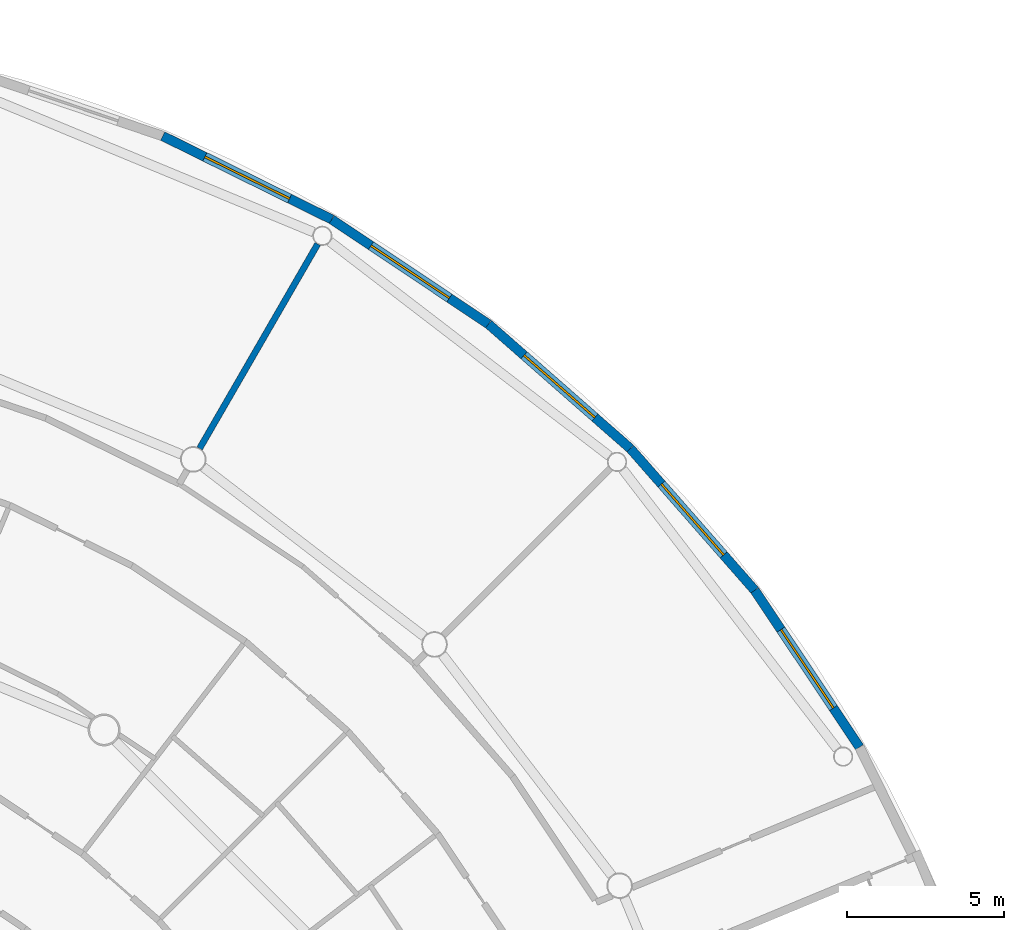
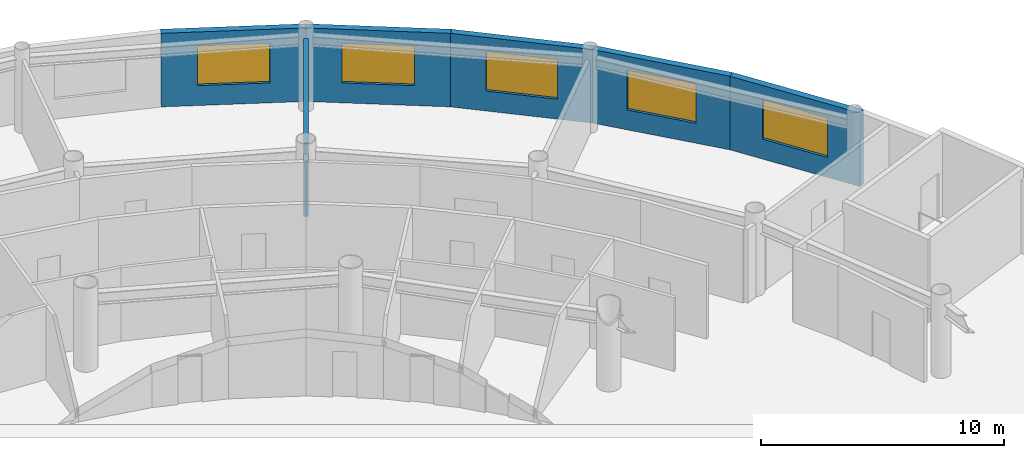
# One storey, part 24 of 29: 6 walls, 5 windows, 5 openings.
"""IFC4 building model written with IfcOpenShell, lengths in metres."""

import ifcopenshell
import ifcopenshell.guid

model = None  # the IFC model being written
_history = None  # IfcOwnerHistory: only IFC2X3 demands one
_inside = {}  # id of a spatial element -> (the spatial element, [elements in it])
_under = {}  # id of a project, library or spatial element -> (it, [spatial elements below it])
_declared = {}  # id of a project -> (the project, [libraries it declares])
_typed = {}  # id of a type object -> (the type object, [elements of that type])
_made_of = {}  # id of a material, layer set ... -> (it, [elements and type objects made of it])


def new_model(schema):
    """Start an empty IFC model of exactly this schema.

    Asked for "IFC4X3", IfcOpenShell would pick the latest addendum, in which some entities
    have other attributes; the version numbers below select the first issue.
    IFC2X3 requires an IfcOwnerHistory on every rooted entity: one is made here for all.
    """
    global model, _history
    if schema == "IFC4X3":
        model = ifcopenshell.file(schema_version=(4, 3, 0, 0))
    else:
        model = ifcopenshell.file(schema=schema)
    _inside.clear()
    _under.clear()
    _declared.clear()
    _typed.clear()
    _made_of.clear()
    _history = None
    if model.schema == "IFC2X3":
        org = make("IfcOrganization", Name="unknown")
        user = make(
            "IfcPersonAndOrganization",
            ThePerson=make("IfcPerson", FamilyName="unknown"),
            TheOrganization=org,
        )
        app = make(
            "IfcApplication",
            ApplicationDeveloper=org,
            Version="unknown",
            ApplicationFullName="unknown",
            ApplicationIdentifier="unknown",
        )
        _history = make(
            "IfcOwnerHistory",
            OwningUser=user,
            OwningApplication=app,
            ChangeAction="ADDED",
            CreationDate=0,
        )
    return model


def make(cls, **values):
    """One entity of the class cls with the attributes given. An attribute that is None is left unset."""
    return model.create_entity(
        cls, **{name: value for name, value in values.items() if value is not None}
    )


def rooted(cls, **values):
    """An entity with a GlobalId (a new one), such as an element, a storey or a relation."""
    return make(cls, GlobalId=ifcopenshell.guid.new(), OwnerHistory=_history, **values)


def si_unit(unit_type, name, prefix=None):
    """IfcSIUnit, for example si_unit("LENGTHUNIT", "METRE", prefix="MILLI")."""
    return make("IfcSIUnit", UnitType=unit_type, Prefix=prefix, Name=name)


def assignment(units):
    """IfcUnitAssignment: the units of a project."""
    return None if units is None else make("IfcUnitAssignment", Units=units)


def point(xyz):
    """IfcCartesianPoint."""
    return None if xyz is None else make("IfcCartesianPoint", Coordinates=xyz)


def direction(xyz):
    """IfcDirection."""
    return None if xyz is None else make("IfcDirection", DirectionRatios=xyz)


def frame(location, z_axis=None, x_axis=None):
    """IfcAxis2Placement3D, a coordinate frame: its origin and axes. An axis left out is left unset."""
    return make(
        "IfcAxis2Placement3D",
        Location=point(location),
        Axis=direction(z_axis),
        RefDirection=direction(x_axis),
    )


def frame_2d(location, x_axis=None):
    """IfcAxis2Placement2D, a coordinate frame in the plane: its origin and x axis."""
    return make(
        "IfcAxis2Placement2D", Location=point(location), RefDirection=direction(x_axis)
    )


def origin():
    """The frame at (0, 0, 0) with its axes left unset."""
    return frame((0.0, 0.0, 0.0))


def place(relative_to, where):
    """IfcLocalPlacement: puts the frame where relative to a parent placement (None: the world)."""
    return make(
        "IfcLocalPlacement", PlacementRelTo=relative_to, RelativePlacement=where
    )


def context(
    kind, dimensions, precision=None, world=None, true_north=None, identifier=None
):
    """IfcGeometricRepresentationContext, for example the 3D "Model" context."""
    return make(
        "IfcGeometricRepresentationContext",
        ContextIdentifier=identifier,
        ContextType=kind,
        CoordinateSpaceDimension=dimensions,
        Precision=precision,
        WorldCoordinateSystem=world,
        TrueNorth=true_north,
    )


def subcontext(parent, identifier, kind, view, scale=None):
    """IfcGeometricRepresentationSubContext, for example "Body" below "Model"."""
    return make(
        "IfcGeometricRepresentationSubContext",
        ContextIdentifier=identifier,
        ContextType=kind,
        ParentContext=parent,
        TargetScale=scale,
        TargetView=view,
    )


def project(units=None, contexts=None):
    """IfcProject with its units and contexts."""
    return rooted(
        "IfcProject",
        Name="project",
        RepresentationContexts=contexts,
        UnitsInContext=assignment(units),
    )


def spatial(cls, under=None, at=None, **own):
    """A site, building, storey or space (cls), placed at a placement, below another one or the project."""
    s = rooted(cls, ObjectPlacement=at, **own)
    if under is not None:
        _under.setdefault(under.id(), (under, []))[1].append(s)
    return s


def profile(cls, at=None, kind="AREA", **sizes):
    """A parametric profile (cls). Its sizes go by their IFC names, for example OverallWidth=200.0."""
    return make(cls, ProfileType=kind, Position=at, **sizes)


def rectangle(**sizes):
    """IfcRectangleProfileDef."""
    return profile("IfcRectangleProfileDef", **sizes)


def extrude(swept, where, along, depth):
    """IfcExtrudedAreaSolid: the profile swept, set in the frame where, extruded along a direction by depth."""
    return make(
        "IfcExtrudedAreaSolid",
        SweptArea=swept,
        Position=where,
        ExtrudedDirection=direction(along),
        Depth=depth,
    )


def shape(context_of_items, identifier, shape_type, items):
    """IfcShapeRepresentation: the items that make up one representation, for example the "Body"."""
    return make(
        "IfcShapeRepresentation",
        ContextOfItems=context_of_items,
        RepresentationIdentifier=identifier,
        RepresentationType=shape_type,
        Items=items,
    )


def material(Name=None, Category=None):
    """IfcMaterial."""
    return make("IfcMaterial", Name=Name, Category=Category)


def layer(
    of_material, thickness, ventilated=None, Name=None, Category=None, Priority=None
):
    """IfcMaterialLayer: one layer of a wall or slab, of a material (None: an air gap)."""
    return make(
        "IfcMaterialLayer",
        Material=of_material,
        LayerThickness=thickness,
        IsVentilated=ventilated,
        Name=Name,
        Category=Category,
        Priority=Priority,
    )


def layer_set(layers, Name=None):
    """IfcMaterialLayerSet."""
    return make("IfcMaterialLayerSet", MaterialLayers=layers, LayerSetName=Name)


def made_of(thing, what):
    """Note that an element or type object is made of a material, layer set ...; save() writes the relation."""
    if what is not None:
        _made_of.setdefault(what.id(), (what, []))[1].append(thing)
    return thing


def type_object(cls, material=None, **own):
    """A type object (cls), such as IfcWallType, which elements share."""
    return made_of(rooted(cls, **own), material)


def element(
    cls,
    number,
    at=None,
    inside=None,
    cuts=None,
    type_object=None,
    material=None,
    context=None,
    identifier="Body",
    shape_type=None,
    held_by="IfcProductDefinitionShape",
    body=None,
    shapes=None,
    **own,
):
    """One element of the class cls, such as IfcWall. Its Tag is "e" and its number.

    at: its placement. inside: the storey or other place that contains it. cuts: it is an
    opening in that element (IfcRelVoidsElement). A single representation is given by context,
    identifier, shape_type and body (its items); several are given by shapes. held_by: the class
    of the entity that holds the representations. save() writes the other relations.
    """
    e = rooted(cls, Tag="e%d" % number, ObjectPlacement=at, **own)
    if body is not None:
        shapes = [shape(context, identifier, shape_type, body)]
    if shapes is not None:
        e.Representation = make(held_by, Representations=shapes)
    if inside is not None:
        _inside.setdefault(inside.id(), (inside, []))[1].append(e)
    if cuts is not None:
        rooted(
            "IfcRelVoidsElement", RelatingBuildingElement=cuts, RelatedOpeningElement=e
        )
    if type_object is not None:
        _typed.setdefault(type_object.id(), (type_object, []))[1].append(e)
    return made_of(e, material)


def fill(opening, filler):
    """IfcRelFillsElement: the door or window that sits in an opening."""
    return rooted(
        "IfcRelFillsElement",
        RelatingOpeningElement=opening,
        RelatedBuildingElement=filler,
    )


def aggregate(whole, parts):
    """IfcRelAggregates: a whole, such as a stair, and the parts it consists of."""
    return rooted("IfcRelAggregates", RelatingObject=whole, RelatedObjects=parts)


def save(model, path):
    """Write the relations noted so far, then the file.

    IfcRelAggregates (storeys below a building ...), IfcRelContainedInSpatialStructure (elements
    in a storey), IfcRelDefinesByType, IfcRelAssociatesMaterial and IfcRelDeclares: one each for
    every whole, place, type object, material and project.
    """
    for whole, parts in _under.values():
        aggregate(whole, parts)
    for where, things in _inside.values():
        rooted(
            "IfcRelContainedInSpatialStructure",
            RelatedElements=things,
            RelatingStructure=where,
        )
    for kind, things in _typed.values():
        rooted("IfcRelDefinesByType", RelatedObjects=things, RelatingType=kind)
    for what, things in _made_of.values():
        rooted("IfcRelAssociatesMaterial", RelatedObjects=things, RelatingMaterial=what)
    for by, libraries in _declared.values():
        rooted("IfcRelDeclares", RelatingContext=by, RelatedDefinitions=libraries)
    model.write(path)


model = new_model("IFC4")

# Units and contexts
model_context = context("Model", 3, precision=1e-05, world=origin(), true_north=direction((0.0, 1.0)))
body_context = subcontext(model_context, "Body", "Model", "MODEL_VIEW")
ifc_project = project(units=[si_unit("LENGTHUNIT", "METRE"), si_unit("AREAUNIT", "SQUARE_METRE"), si_unit("VOLUMEUNIT", "CUBIC_METRE"), si_unit("PLANEANGLEUNIT", "RADIAN"), si_unit("MASSUNIT", "GRAM", prefix="KILO")], contexts=[model_context])

# Site, building, storey
site_placement = place(None, origin())
site = spatial("IfcSite", under=ifc_project, at=site_placement, CompositionType="ELEMENT")
building_placement = place(site_placement, origin())
building = spatial("IfcBuilding", under=site, at=building_placement, Name="Maasbend Ring Residences", CompositionType="ELEMENT")
storey_placement = place(building_placement, frame((0.0, 0.0, 5.39990234375)))
storey = spatial("IfcBuildingStorey", under=building, at=storey_placement, Name="L01", CompositionType="ELEMENT", Elevation=5.39990234375)

# Wall
ifc_material_1 = material(Name="Concrete C30/37", Category="concrete")
ifc_layer_1 = layer(ifc_material_1, 0.199951171875)
ifc_layer_set_1 = layer_set([ifc_layer_1], Name="Concrete C30/37")
wall_type_1 = type_object("IfcWallType", Name="CORRIDOR WALL 200 CONCRETE", PredefinedType="PARTITIONING", material=ifc_layer_set_1)
wall_1_placement = place(storey_placement, frame((18.700927734375, 32.387939453125, 0.0), z_axis=(0.0, 0.0, 1.0), x_axis=(0.500101881357, 0.865966574565, 0.0)))
element("IfcWall", 1, at=wall_1_placement, inside=storey, type_object=wall_type_1, Name="U-L01-w179", PredefinedType="PARTITIONING", context=body_context, shape_type="SweptSolid", body=[
    extrude(rectangle(XDim=7.50048828125, YDim=0.199951171875, at=frame_2d((3.750244140625, 0.0))), origin(), (0.0, 0.0, 1.0), 3.7001953125),
])

# Wall, opening, window
ifc_material_2 = material(Name="Pale anodised aluminium panel", Category="aluminium")
ifc_layer_2 = layer(ifc_material_2, 0.300048828125)
ifc_layer_set_2 = layer_set([ifc_layer_2], Name="EW-BASE")
wall_type_2 = type_object("IfcWallType", Name="EW-BASE", PredefinedType="SOLIDWALL", material=ifc_layer_set_2)
wall_2_placement = place(storey_placement, frame((39.6640625, 22.89990234375, 0.0), z_axis=(0.0, 0.0, 1.0), x_axis=(-0.55554631985, 0.831485590074, 0.0)))
wall_2 = element("IfcWall", 2, at=wall_2_placement, inside=storey, type_object=wall_type_2, Name="Base block wall 05", PredefinedType="SOLIDWALL", context=body_context, shape_type="SweptSolid", body=[
    extrude(rectangle(XDim=5.99072265625, YDim=0.300048828125, at=frame_2d((2.995361328125, 0.0))), origin(), (0.0, 0.0, 1.0), 3.7001953125),
])
opening_1_placement = place(wall_2_placement, frame((1.495361328125, 0.0, 1.0)))
opening_1 = element("IfcOpeningElement", 3, at=opening_1_placement, cuts=wall_2, Name="Opening W-PB", PredefinedType="OPENING", context=body_context, shape_type="SweptSolid", body=[
    extrude(rectangle(XDim=3.0, YDim=2.0, at=frame_2d((1.5, 1.0))), frame((0.0, 0.16015625, 0.0), z_axis=(0.0, -1.0, 0.0), x_axis=(1.0, 0.0, 0.0)), (0.0, 0.0, 1.0), 0.320068359375),
])
ifc_material_3 = material(Name="Aluminium and clear glass", Category="aluminium")
window_type = type_object("IfcWindowType", Name="W-PB", PartitioningType="SINGLE_PANEL", PredefinedType="WINDOW", material=ifc_material_3)
window_1_placement = place(opening_1_placement, origin())
window_1 = element("IfcWindow", 4, at=window_1_placement, inside=storey, type_object=window_type, Name="Base block window 05", OverallHeight=2.0, OverallWidth=3.0, PartitioningType="SINGLE_PANEL", PredefinedType="WINDOW", context=body_context, shape_type="SweptSolid", body=[
    extrude(rectangle(XDim=3.0, YDim=2.0, at=frame_2d((1.5, 1.0))), frame((0.0, 0.030029296875, 0.0), z_axis=(0.0, -1.0, 0.0), x_axis=(1.0, 0.0, 0.0)), (0.0, 0.0, 1.0), 0.06005859375),
])
fill(opening_1, window_1)

wall_3_placement = place(storey_placement, frame((36.3359375, 27.881103515625, 0.0), z_axis=(0.0, 0.0, 1.0), x_axis=(-0.659450342916, 0.751748126189, 0.0)))
wall_3 = element("IfcWall", 5, at=wall_3_placement, inside=storey, type_object=wall_type_2, Name="Base block wall 06", PredefinedType="SOLIDWALL", context=body_context, shape_type="SweptSolid", body=[
    extrude(rectangle(XDim=5.9912109375, YDim=0.300048828125, at=frame_2d((2.99560546875, 0.0))), origin(), (0.0, 0.0, 1.0), 3.7001953125),
])
opening_2_placement = place(wall_3_placement, frame((1.495361328125, 0.0, 1.0)))
opening_2 = element("IfcOpeningElement", 6, at=opening_2_placement, cuts=wall_3, Name="Opening W-PB", PredefinedType="OPENING", context=body_context, shape_type="SweptSolid", body=[
    extrude(rectangle(XDim=3.0, YDim=2.0, at=frame_2d((1.5, 1.0))), frame((0.0, 0.16015625, 0.0), z_axis=(0.0, -1.0, 0.0), x_axis=(1.0, 0.0, 0.0)), (0.0, 0.0, 1.0), 0.320068359375),
])
window_2_placement = place(opening_2_placement, origin())
window_2 = element("IfcWindow", 7, at=window_2_placement, inside=storey, type_object=window_type, Name="Base block window 06", OverallHeight=2.0, OverallWidth=3.0, PartitioningType="SINGLE_PANEL", PredefinedType="WINDOW", context=body_context, shape_type="SweptSolid", body=[
    extrude(rectangle(XDim=3.0, YDim=2.0, at=frame_2d((1.5, 1.0))), frame((0.0, 0.030029296875, 0.0), z_axis=(0.0, -1.0, 0.0), x_axis=(1.0, 0.0, 0.0)), (0.0, 0.0, 1.0), 0.06005859375),
])
fill(opening_2, window_2)

wall_4_placement = place(storey_placement, frame((32.385009765625, 32.385009765625, 0.0), z_axis=(0.0, 0.0, 1.0), x_axis=(-0.751748126189, 0.659450342916, 0.0)))
wall_4 = element("IfcWall", 8, at=wall_4_placement, inside=storey, type_object=wall_type_2, Name="Base block wall 07", PredefinedType="SOLIDWALL", context=body_context, shape_type="SweptSolid", body=[
    extrude(rectangle(XDim=5.9912109375, YDim=0.300048828125, at=frame_2d((2.99560546875, 0.0))), origin(), (0.0, 0.0, 1.0), 3.7001953125),
])
opening_3_placement = place(wall_4_placement, frame((1.495361328125, 0.0, 1.0)))
opening_3 = element("IfcOpeningElement", 9, at=opening_3_placement, cuts=wall_4, Name="Opening W-PB", PredefinedType="OPENING", context=body_context, shape_type="SweptSolid", body=[
    extrude(rectangle(XDim=3.0, YDim=2.0, at=frame_2d((1.5, 1.0))), frame((0.0, 0.16015625, 0.0), z_axis=(0.0, -1.0, 0.0), x_axis=(1.0, 0.0, 0.0)), (0.0, 0.0, 1.0), 0.320068359375),
])
window_3_placement = place(opening_3_placement, origin())
window_3 = element("IfcWindow", 10, at=window_3_placement, inside=storey, type_object=window_type, Name="Base block window 07", OverallHeight=2.0, OverallWidth=3.0, PartitioningType="SINGLE_PANEL", PredefinedType="WINDOW", context=body_context, shape_type="SweptSolid", body=[
    extrude(rectangle(XDim=3.0, YDim=2.0, at=frame_2d((1.5, 1.0))), frame((0.0, 0.030029296875, 0.0), z_axis=(0.0, -1.0, 0.0), x_axis=(1.0, 0.0, 0.0)), (0.0, 0.0, 1.0), 0.06005859375),
])
fill(opening_3, window_3)

wall_5_placement = place(storey_placement, frame((27.881103515625, 36.3359375, 0.0), z_axis=(0.0, 0.0, 1.0), x_axis=(-0.831485590074, 0.55554631985, 0.0)))
wall_5 = element("IfcWall", 11, at=wall_5_placement, inside=storey, type_object=wall_type_2, Name="Base block wall 08", PredefinedType="SOLIDWALL", context=body_context, shape_type="SweptSolid", body=[
    extrude(rectangle(XDim=5.99072265625, YDim=0.300048828125, at=frame_2d((2.995361328125, 0.0))), origin(), (0.0, 0.0, 1.0), 3.7001953125),
])
opening_4_placement = place(wall_5_placement, frame((1.495361328125, 0.0, 1.0)))
opening_4 = element("IfcOpeningElement", 12, at=opening_4_placement, cuts=wall_5, Name="Opening W-PB", PredefinedType="OPENING", context=body_context, shape_type="SweptSolid", body=[
    extrude(rectangle(XDim=3.0, YDim=2.0, at=frame_2d((1.5, 1.0))), frame((0.0, 0.16015625, 0.0), z_axis=(0.0, -1.0, 0.0), x_axis=(1.0, 0.0, 0.0)), (0.0, 0.0, 1.0), 0.320068359375),
])
window_4_placement = place(opening_4_placement, origin())
window_4 = element("IfcWindow", 13, at=window_4_placement, inside=storey, type_object=window_type, Name="Base block window 08", OverallHeight=2.0, OverallWidth=3.0, PartitioningType="SINGLE_PANEL", PredefinedType="WINDOW", context=body_context, shape_type="SweptSolid", body=[
    extrude(rectangle(XDim=3.0, YDim=2.0, at=frame_2d((1.5, 1.0))), frame((0.0, 0.030029296875, 0.0), z_axis=(0.0, -1.0, 0.0), x_axis=(1.0, 0.0, 0.0)), (0.0, 0.0, 1.0), 0.06005859375),
])
fill(opening_4, window_4)

wall_6_placement = place(storey_placement, frame((22.89990234375, 39.6640625, 0.0), z_axis=(0.0, 0.0, 1.0), x_axis=(-0.896850939151, 0.44233289833, 0.0)))
wall_6 = element("IfcWall", 14, at=wall_6_placement, inside=storey, type_object=wall_type_2, Name="Base block wall 09", PredefinedType="SOLIDWALL", context=body_context, shape_type="SweptSolid", body=[
    extrude(rectangle(XDim=5.99072265625, YDim=0.300048828125, at=frame_2d((2.995361328125, 0.0))), origin(), (0.0, 0.0, 1.0), 3.7001953125),
])
opening_5_placement = place(wall_6_placement, frame((1.495361328125, 0.0, 1.0)))
opening_5 = element("IfcOpeningElement", 15, at=opening_5_placement, cuts=wall_6, Name="Opening W-PB", PredefinedType="OPENING", context=body_context, shape_type="SweptSolid", body=[
    extrude(rectangle(XDim=3.0, YDim=2.0, at=frame_2d((1.5, 1.0))), frame((0.0, 0.16015625, 0.0), z_axis=(0.0, -1.0, 0.0), x_axis=(1.0, 0.0, 0.0)), (0.0, 0.0, 1.0), 0.320068359375),
])
window_5_placement = place(opening_5_placement, origin())
window_5 = element("IfcWindow", 16, at=window_5_placement, inside=storey, type_object=window_type, Name="Base block window 09", OverallHeight=2.0, OverallWidth=3.0, PartitioningType="SINGLE_PANEL", PredefinedType="WINDOW", context=body_context, shape_type="SweptSolid", body=[
    extrude(rectangle(XDim=3.0, YDim=2.0, at=frame_2d((1.5, 1.0))), frame((0.0, 0.030029296875, 0.0), z_axis=(0.0, -1.0, 0.0), x_axis=(1.0, 0.0, 0.0)), (0.0, 0.0, 1.0), 0.06005859375),
])
fill(opening_5, window_5)

save(model, "model.ifc")
